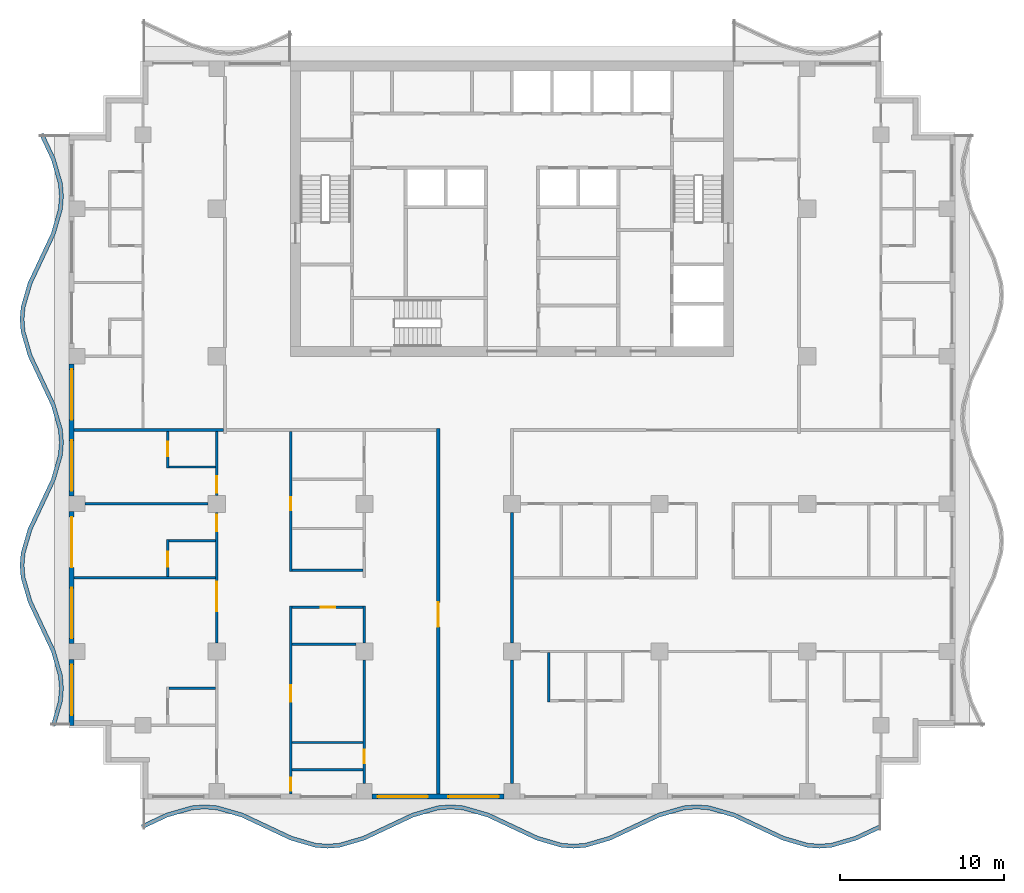
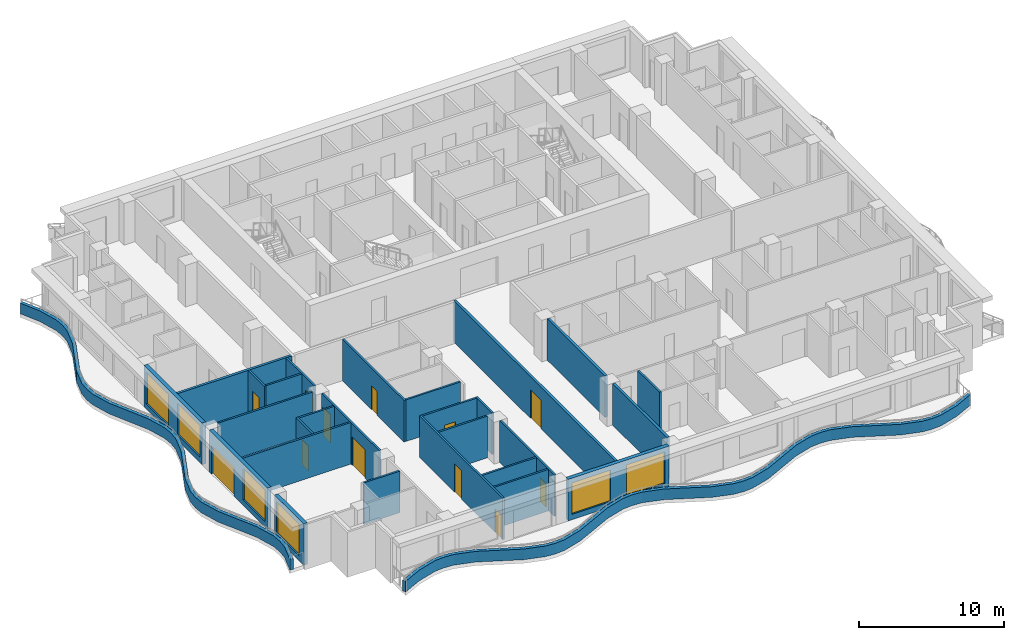
# One storey, part 2 of 11: 29 walls, 12 doors, 6 windows, 18 openings.
"""IFC4 building model written with IfcOpenShell, lengths in metres."""

from ifc_helpers import new_model, si_unit, direction, frame, frame_2d, origin, place, context, subcontext, project, spatial, polyline, rectangle, outline, extrude, material, layer, layer_set, type_object, element, fill, save


model = new_model("IFC4")

# Units and contexts
model_context = context("Model", 3, precision=1e-05, world=origin(), true_north=direction((0.0, 1.0)))
body_context = subcontext(model_context, "Body", "Model", "MODEL_VIEW")
ifc_project = project(units=[si_unit("LENGTHUNIT", "METRE"), si_unit("AREAUNIT", "SQUARE_METRE"), si_unit("VOLUMEUNIT", "CUBIC_METRE"), si_unit("PLANEANGLEUNIT", "RADIAN"), si_unit("MASSUNIT", "GRAM", prefix="KILO")], contexts=[model_context])

# Site, building, storey
site_placement = place(None, origin())
site = spatial("IfcSite", under=ifc_project, at=site_placement, CompositionType="ELEMENT")
building_placement = place(site_placement, origin())
building = spatial("IfcBuilding", under=site, at=building_placement, Name="Orbiselva Terraces", CompositionType="ELEMENT")
storey_placement = place(building_placement, frame((0.0, 0.0, 226.2)))
storey = spatial("IfcBuildingStorey", under=building, at=storey_placement, Name="L57", CompositionType="ELEMENT", Elevation=226.2)

# Walls
ifc_material_1 = material(Name="Concrete C40/50", Category="concrete")
ifc_layer_1 = layer(ifc_material_1, 0.25)
ifc_layer_set_1 = layer_set([ifc_layer_1], Name="Concrete C40/50")
wall_type_1 = type_object("IfcWallType", Name="ENV-PLANTER-250x900", PredefinedType="USERDEFINED", material=ifc_layer_set_1)
wall_1_placement = place(storey_placement, origin())
element("IfcWall", 1, at=wall_1_placement, inside=storey, type_object=wall_type_1, Name="Balcony planter L57 S", ObjectType="PLANTER", PredefinedType="USERDEFINED", context=body_context, shape_type="SweptSolid", body=[
    extrude(outline(polyline([(-22.5, -24.3), (-21.0, -23.594658), (-19.5, -23.158732), (-18.75, -23.1), (-18.0, -23.158732), (-16.5, -23.594658), (-15.0, -24.3), (-13.5, -25.005342), (-12.0, -25.441268), (-11.25, -25.5), (-10.5, -25.441268), (-9.0, -25.005342), (-7.5, -24.3), (-6.0, -23.594658), (-4.5, -23.158732), (-3.75, -23.1), (-3.0, -23.158732), (-1.5, -23.594658), (0.0, -24.3), (1.5, -25.005342), (3.0, -25.441268), (3.75, -25.5), (4.5, -25.441268), (6.0, -25.005342), (7.5, -24.3), (9.0, -23.594658), (10.5, -23.158732), (11.25, -23.1), (12.0, -23.158732), (13.5, -23.594658), (15.0, -24.3), (16.5, -25.005342), (18.0, -25.441268), (18.75, -25.5), (19.5, -25.441268), (21.0, -25.005342), (22.5, -24.3), (22.393617, -24.073764), (20.911382, -24.770753), (19.454886, -25.194035), (18.75, -25.249235), (18.045114, -25.194035), (16.588618, -24.770753), (15.106383, -24.073764), (13.588618, -23.360069), (12.045114, -22.911499), (11.25, -22.849235), (10.454886, -22.911499), (8.911382, -23.360069), (7.393617, -24.073764), (5.911382, -24.770753), (4.454886, -25.194035), (3.75, -25.249235), (3.045114, -25.194035), (1.588618, -24.770753), (0.106383, -24.073764), (-1.411382, -23.360069), (-2.954886, -22.911499), (-3.75, -22.849235), (-4.545114, -22.911499), (-6.088618, -23.360069), (-7.606383, -24.073764), (-9.088618, -24.770753), (-10.545114, -25.194035), (-11.25, -25.249235), (-11.954886, -25.194035), (-13.411382, -24.770753), (-14.893617, -24.073764), (-16.411382, -23.360069), (-17.954886, -22.911499), (-18.75, -22.849235), (-19.545114, -22.911499), (-21.088618, -23.360069), (-22.606383, -24.073764), (-22.5, -24.3)])), origin(), (0.0, 0.0, 1.0), 0.9),
])
wall_2_placement = place(storey_placement, origin())
element("IfcWall", 2, at=wall_2_placement, inside=storey, type_object=wall_type_1, Name="Balcony planter L57 W", ObjectType="PLANTER", PredefinedType="USERDEFINED", context=body_context, shape_type="SweptSolid", body=[
    extrude(outline(polyline([(-28.8, 18.0), (-28.094658, 16.5), (-27.658732, 15.0), (-27.6, 14.25), (-27.658732, 13.5), (-28.094658, 12.0), (-28.8, 10.5), (-29.505342, 9.0), (-29.941268, 7.5), (-30.0, 6.75), (-29.941268, 6.0), (-29.505342, 4.5), (-28.8, 3.0), (-28.094658, 1.5), (-27.658732, 0.0), (-27.6, -0.75), (-27.658732, -1.5), (-28.094658, -3.0), (-28.8, -4.5), (-29.505342, -6.0), (-29.941268, -7.5), (-30.0, -8.25), (-29.941268, -9.0), (-29.505342, -10.5), (-28.8, -12.0), (-28.094658, -13.5), (-27.658732, -15.0), (-27.6, -15.75), (-27.658732, -16.5), (-28.094658, -18.0), (-27.85459, -18.069768), (-27.411499, -16.545114), (-27.349235, -15.75), (-27.411499, -14.954886), (-27.860069, -13.411382), (-28.573764, -11.893617), (-29.270753, -10.411382), (-29.694035, -8.954886), (-29.749235, -8.25), (-29.694035, -7.545114), (-29.270753, -6.088618), (-28.573764, -4.606383), (-27.860069, -3.088618), (-27.411499, -1.545114), (-27.349235, -0.75), (-27.411499, 0.045114), (-27.860069, 1.588618), (-28.573764, 3.106383), (-29.270753, 4.588618), (-29.694035, 6.045114), (-29.749235, 6.75), (-29.694035, 7.454886), (-29.270753, 8.911382), (-28.573764, 10.393617), (-27.860069, 11.911382), (-27.411499, 13.454886), (-27.349235, 14.25), (-27.411499, 15.045114), (-27.860069, 16.588618), (-28.573764, 18.106383), (-28.8, 18.0)])), origin(), (0.0, 0.0, 1.0), 0.9),
])

# Wall, openings, windows
ifc_material_2 = material(Name="Terracotta cladding on masonry backing", Category="masonry")
ifc_layer_2 = layer(ifc_material_2, 0.3)
ifc_layer_set_2 = layer_set([ifc_layer_2], Name="Terracotta cladding on masonry backing")
wall_type_2 = type_object("IfcWallType", Name="ENV-WALL-TERRACOTTA-300", PredefinedType="SOLIDWALL", material=ifc_layer_set_2)
wall_3_placement = place(storey_placement, frame((-0.475, -22.35, 0.0), z_axis=(0.0, 0.0, 1.0), x_axis=(-1.0, 0.0, 0.0)))
wall_3 = element("IfcWall", 3, at=wall_3_placement, inside=storey, type_object=wall_type_2, Name="Facade wall L57 S", PredefinedType="SOLIDWALL", context=body_context, shape_type="SweptSolid", body=[
    extrude(rectangle(XDim=8.05, YDim=0.3, at=frame_2d((4.025, 0.0))), origin(), (0.0, 0.0, 1.0), 3.5),
])
opening_1_placement = place(wall_3_placement, frame((4.65, 0.0, 0.45)))
opening_1 = element("IfcOpeningElement", 4, at=opening_1_placement, cuts=wall_3, Name="Opening WN15", PredefinedType="OPENING", context=body_context, shape_type="SweptSolid", body=[
    extrude(rectangle(XDim=3.075, YDim=2.65, at=frame_2d((1.5375, 1.325))), frame((0.0, 0.16, 0.0), z_axis=(0.0, -1.0, 0.0), x_axis=(1.0, 0.0, 0.0)), (0.0, 0.0, 1.0), 0.32),
])
opening_2_placement = place(wall_3_placement, frame((0.325, 0.0, 0.45)))
opening_2 = element("IfcOpeningElement", 5, at=opening_2_placement, cuts=wall_3, Name="Opening WN15", PredefinedType="OPENING", context=body_context, shape_type="SweptSolid", body=[
    extrude(rectangle(XDim=3.075, YDim=2.65, at=frame_2d((1.5375, 1.325))), frame((0.0, 0.16, 0.0), z_axis=(0.0, -1.0, 0.0), x_axis=(1.0, 0.0, 0.0)), (0.0, 0.0, 1.0), 0.32),
])
ifc_material_3 = material(Name="Clear low-e glazing in aluminium frame", Category="aluminium")
window_type = type_object("IfcWindowType", Name="WINDOW 3075 X 2650 S450", PartitioningType="TRIPLE_PANEL_VERTICAL", PredefinedType="WINDOW", material=ifc_material_3)
window_1_placement = place(opening_1_placement, origin())
window_1 = element("IfcWindow", 6, at=window_1_placement, inside=storey, type_object=window_type, Name="Window L57 S", OverallHeight=2.65, OverallWidth=3.075, PartitioningType="SINGLE_PANEL", PredefinedType="WINDOW", context=body_context, shape_type="SweptSolid", body=[
    extrude(rectangle(XDim=3.075, YDim=2.65, at=frame_2d((1.5375, 1.325))), frame((0.0, 0.03, 0.0), z_axis=(0.0, -1.0, 0.0), x_axis=(1.0, 0.0, 0.0)), (0.0, 0.0, 1.0), 0.06),
])
fill(opening_1, window_1)
window_2_placement = place(opening_2_placement, origin())
window_2 = element("IfcWindow", 7, at=window_2_placement, inside=storey, type_object=window_type, Name="Window L57 S", OverallHeight=2.65, OverallWidth=3.075, PartitioningType="SINGLE_PANEL", PredefinedType="WINDOW", context=body_context, shape_type="SweptSolid", body=[
    extrude(rectangle(XDim=3.075, YDim=2.65, at=frame_2d((1.5375, 1.325))), frame((0.0, 0.03, 0.0), z_axis=(0.0, -1.0, 0.0), x_axis=(1.0, 0.0, 0.0)), (0.0, 0.0, 1.0), 0.06),
])
fill(opening_2, window_2)

wall_4_placement = place(storey_placement, frame((-26.85, -4.025, 0.0), z_axis=(0.0, 0.0, 1.0), x_axis=(0.0, 1.0, 0.0)))
wall_4 = element("IfcWall", 8, at=wall_4_placement, inside=storey, type_object=wall_type_2, Name="Facade wall L57 W", PredefinedType="SOLIDWALL", context=body_context, shape_type="SweptSolid", body=[
    extrude(rectangle(XDim=8.05, YDim=0.3, at=frame_2d((4.025, 0.0))), origin(), (0.0, 0.0, 1.0), 3.5),
])
opening_3_placement = place(wall_4_placement, frame((4.65, 0.0, 0.45)))
opening_3 = element("IfcOpeningElement", 9, at=opening_3_placement, cuts=wall_4, Name="Opening WN15", PredefinedType="OPENING", context=body_context, shape_type="SweptSolid", body=[
    extrude(rectangle(XDim=3.075, YDim=2.65, at=frame_2d((1.5375, 1.325))), frame((0.0, 0.16, 0.0), z_axis=(0.0, -1.0, 0.0), x_axis=(1.0, 0.0, 0.0)), (0.0, 0.0, 1.0), 0.32),
])
opening_4_placement = place(wall_4_placement, frame((0.325, 0.0, 0.45)))
opening_4 = element("IfcOpeningElement", 10, at=opening_4_placement, cuts=wall_4, Name="Opening WN15", PredefinedType="OPENING", context=body_context, shape_type="SweptSolid", body=[
    extrude(rectangle(XDim=3.075, YDim=2.65, at=frame_2d((1.5375, 1.325))), frame((0.0, 0.16, 0.0), z_axis=(0.0, -1.0, 0.0), x_axis=(1.0, 0.0, 0.0)), (0.0, 0.0, 1.0), 0.32),
])
window_3_placement = place(opening_3_placement, origin())
window_3 = element("IfcWindow", 11, at=window_3_placement, inside=storey, type_object=window_type, Name="Window L57 W", OverallHeight=2.65, OverallWidth=3.075, PartitioningType="SINGLE_PANEL", PredefinedType="WINDOW", context=body_context, shape_type="SweptSolid", body=[
    extrude(rectangle(XDim=3.075, YDim=2.65, at=frame_2d((1.5375, 1.325))), frame((0.0, 0.03, 0.0), z_axis=(0.0, -1.0, 0.0), x_axis=(1.0, 0.0, 0.0)), (0.0, 0.0, 1.0), 0.06),
])
fill(opening_3, window_3)
window_4_placement = place(opening_4_placement, origin())
window_4 = element("IfcWindow", 12, at=window_4_placement, inside=storey, type_object=window_type, Name="Window L57 W", OverallHeight=2.65, OverallWidth=3.075, PartitioningType="SINGLE_PANEL", PredefinedType="WINDOW", context=body_context, shape_type="SweptSolid", body=[
    extrude(rectangle(XDim=3.075, YDim=2.65, at=frame_2d((1.5375, 1.325))), frame((0.0, 0.03, 0.0), z_axis=(0.0, -1.0, 0.0), x_axis=(1.0, 0.0, 0.0)), (0.0, 0.0, 1.0), 0.06),
])
fill(opening_4, window_4)

# Wall, openings, door, window
wall_5_placement = place(storey_placement, frame((-26.85, -13.025, 0.0), z_axis=(0.0, 0.0, 1.0), x_axis=(0.0, 1.0, 0.0)))
wall_5 = element("IfcWall", 13, at=wall_5_placement, inside=storey, type_object=wall_type_2, Name="Facade wall L57 W", PredefinedType="SOLIDWALL", context=body_context, shape_type="SweptSolid", body=[
    extrude(rectangle(XDim=8.05, YDim=0.3, at=frame_2d((4.025, 0.0))), origin(), (0.0, 0.0, 1.0), 3.5),
])
opening_5_placement = place(wall_5_placement, frame((4.65, 0.0, 0.0)))
opening_5 = element("IfcOpeningElement", 14, at=opening_5_placement, cuts=wall_5, Name="Opening Z4-E-E09", PredefinedType="OPENING", context=body_context, shape_type="SweptSolid", body=[
    extrude(rectangle(XDim=3.075, YDim=2.4, at=frame_2d((1.5375, 1.2))), frame((0.0, 0.16, 0.0), z_axis=(0.0, -1.0, 0.0), x_axis=(1.0, 0.0, 0.0)), (0.0, 0.0, 1.0), 0.32),
])
opening_6_placement = place(wall_5_placement, frame((0.325, 0.0, 0.45)))
opening_6 = element("IfcOpeningElement", 15, at=opening_6_placement, cuts=wall_5, Name="Opening WN15", PredefinedType="OPENING", context=body_context, shape_type="SweptSolid", body=[
    extrude(rectangle(XDim=3.075, YDim=2.65, at=frame_2d((1.5375, 1.325))), frame((0.0, 0.16, 0.0), z_axis=(0.0, -1.0, 0.0), x_axis=(1.0, 0.0, 0.0)), (0.0, 0.0, 1.0), 0.32),
])
door_type_1 = type_object("IfcDoorType", Name="BALCONY DOOR 3075 X 2400", OperationType="DOUBLE_DOOR_SLIDING", PredefinedType="DOOR", material=ifc_material_3)
door_1_placement = place(opening_5_placement, origin())
door_1 = element("IfcDoor", 16, at=door_1_placement, inside=storey, type_object=door_type_1, Name="Z4-E-E09", OperationType="SINGLE_SWING_LEFT", OverallHeight=2.4, OverallWidth=3.075, PredefinedType="DOOR", context=body_context, shape_type="SweptSolid", body=[
    extrude(rectangle(XDim=3.075, YDim=2.4, at=frame_2d((1.5375, 1.2))), frame((0.0, 0.025, 0.0), z_axis=(0.0, -1.0, 0.0), x_axis=(1.0, 0.0, 0.0)), (0.0, 0.0, 1.0), 0.05),
])
fill(opening_5, door_1)
window_5_placement = place(opening_6_placement, origin())
window_5 = element("IfcWindow", 17, at=window_5_placement, inside=storey, type_object=window_type, Name="Window L57 W", OverallHeight=2.65, OverallWidth=3.075, PartitioningType="SINGLE_PANEL", PredefinedType="WINDOW", context=body_context, shape_type="SweptSolid", body=[
    extrude(rectangle(XDim=3.075, YDim=2.65, at=frame_2d((1.5375, 1.325))), frame((0.0, 0.03, 0.0), z_axis=(0.0, -1.0, 0.0), x_axis=(1.0, 0.0, 0.0)), (0.0, 0.0, 1.0), 0.06),
])
fill(opening_6, window_5)

# Wall, opening, window
wall_6_placement = place(storey_placement, frame((-26.85, -18.0, 0.0), z_axis=(0.0, 0.0, 1.0), x_axis=(0.0, 1.0, 0.0)))
wall_6 = element("IfcWall", 18, at=wall_6_placement, inside=storey, type_object=wall_type_2, Name="Facade wall L57 W", PredefinedType="SOLIDWALL", context=body_context, shape_type="SweptSolid", body=[
    extrude(rectangle(XDim=4.025, YDim=0.3, at=frame_2d((2.0125, 0.0))), origin(), (0.0, 0.0, 1.0), 3.5),
])
opening_7_placement = place(wall_6_placement, frame((0.625, 0.0, 0.45)))
opening_7 = element("IfcOpeningElement", 19, at=opening_7_placement, cuts=wall_6, Name="Opening WN15", PredefinedType="OPENING", context=body_context, shape_type="SweptSolid", body=[
    extrude(rectangle(XDim=3.075, YDim=2.65, at=frame_2d((1.5375, 1.325))), frame((0.0, 0.16, 0.0), z_axis=(0.0, -1.0, 0.0), x_axis=(1.0, 0.0, 0.0)), (0.0, 0.0, 1.0), 0.32),
])
window_6_placement = place(opening_7_placement, origin())
window_6 = element("IfcWindow", 20, at=window_6_placement, inside=storey, type_object=window_type, Name="Window L57 W", OverallHeight=2.65, OverallWidth=3.075, PartitioningType="SINGLE_PANEL", PredefinedType="WINDOW", context=body_context, shape_type="SweptSolid", body=[
    extrude(rectangle(XDim=3.075, YDim=2.65, at=frame_2d((1.5375, 1.325))), frame((0.0, 0.03, 0.0), z_axis=(0.0, -1.0, 0.0), x_axis=(1.0, 0.0, 0.0)), (0.0, 0.0, 1.0), 0.06),
])
fill(opening_7, window_6)

# Wall, opening, door
ifc_material_4 = material(Name="Plasterboard on steel stud partition", Category="steel")
ifc_layer_3 = layer(ifc_material_4, 0.2)
ifc_layer_set_3 = layer_set([ifc_layer_3], Name="Plasterboard on steel stud partition")
wall_type_3 = type_object("IfcWallType", Name="UNIT-ENTRANCE-WALL-200", PredefinedType="PARTITIONING", material=ifc_layer_set_3)
wall_7_placement = place(storey_placement, frame((-4.5, -22.2, 0.0), z_axis=(0.0, 0.0, 1.0), x_axis=(0.0, 1.0, 0.0)))
wall_7 = element("IfcWall", 21, at=wall_7_placement, inside=storey, type_object=wall_type_3, Name="PARTITION L57-066", PredefinedType="PARTITIONING", context=body_context, shape_type="SweptSolid", body=[
    extrude(rectangle(XDim=22.3, YDim=0.2, at=frame_2d((11.15, 0.0))), origin(), (0.0, 0.0, 1.0), 3.5),
])
opening_8_placement = place(wall_7_placement, frame((10.2, 0.0, 0.0)))
opening_8 = element("IfcOpeningElement", 22, at=opening_8_placement, cuts=wall_7, Name="Opening Z4-E-18", PredefinedType="OPENING", context=body_context, shape_type="SweptSolid", body=[
    extrude(rectangle(XDim=1.5, YDim=2.4, at=frame_2d((0.75, 1.2))), frame((0.0, 0.11, 0.0), z_axis=(0.0, -1.0, 0.0), x_axis=(1.0, 0.0, 0.0)), (0.0, 0.0, 1.0), 0.22),
])
ifc_material_5 = material(Name="Painted timber door leaf", Category="wood")
door_type_2 = type_object("IfcDoorType", Name="ENTRANCE DOUBLE DOOR 1500", OperationType="NOTDEFINED", PredefinedType="DOOR", material=ifc_material_5)
door_2_placement = place(opening_8_placement, origin())
door_2 = element("IfcDoor", 23, at=door_2_placement, inside=storey, type_object=door_type_2, Name="Z4-E-18", OperationType="DOUBLE_DOOR_SINGLE_SWING", OverallHeight=2.4, OverallWidth=1.5, PredefinedType="DOOR", context=body_context, shape_type="SweptSolid", body=[
    extrude(rectangle(XDim=1.5, YDim=2.4, at=frame_2d((0.75, 1.2))), frame((0.0, 0.025, 0.0), z_axis=(0.0, -1.0, 0.0), x_axis=(1.0, 0.0, 0.0)), (0.0, 0.0, 1.0), 0.05),
])
fill(opening_8, door_2)

# Walls
wall_8_placement = place(storey_placement, frame((0.0, -21.55, 0.0), z_axis=(0.0, 0.0, 1.0), x_axis=(0.0, 1.0, 0.0)))
element("IfcWall", 24, at=wall_8_placement, inside=storey, type_object=wall_type_3, Name="PARTITION L57-067", PredefinedType="PARTITIONING", context=body_context, shape_type="SweptSolid", body=[
    extrude(rectangle(XDim=7.525, YDim=0.2, at=frame_2d((3.7625, 0.0))), origin(), (0.0, 0.0, 1.0), 3.5),
])
wall_9_placement = place(storey_placement, frame((0.0, -12.975, 0.0), z_axis=(0.0, 0.0, 1.0), x_axis=(0.0, 1.0, 0.0)))
element("IfcWall", 25, at=wall_9_placement, inside=storey, type_object=wall_type_3, Name="PARTITION L57-068", PredefinedType="PARTITIONING", context=body_context, shape_type="SweptSolid", body=[
    extrude(rectangle(XDim=7.95, YDim=0.2, at=frame_2d((3.975, 0.0))), origin(), (0.0, 0.0, 1.0), 3.5),
])
ifc_layer_4 = layer(ifc_material_4, 0.15)
ifc_layer_set_4 = layer_set([ifc_layer_4], Name="Plasterboard on steel stud partition")
wall_type_4 = type_object("IfcWallType", Name="UNIT-PARTITION-150", PredefinedType="PARTITIONING", material=ifc_layer_set_4)
for number, where, z_axis, x_axis, name in (
    (26, (-13.425, -20.7, 0.0), (0.0, 0.0, 1.0), (1.0, 0.0, 0.0), "PARTITION L57-001"),
    (27, (-13.425, -19.05, 0.0), (0.0, 0.0, 1.0), (1.0, 0.0, 0.0), "PARTITION L57-002"),
):
    element("IfcWall", number, at=place(storey_placement, frame(where, z_axis=z_axis, x_axis=x_axis)), inside=storey, type_object=wall_type_4, Name=name, PredefinedType="PARTITIONING", context=body_context, shape_type="SweptSolid", body=[
        extrude(rectangle(XDim=4.35, YDim=0.15, at=frame_2d((2.175, 0.0))), origin(), (0.0, 0.0, 1.0), 3.5),
    ])
wall_10_placement = place(storey_placement, frame((-20.925, -15.75, 0.0), z_axis=(0.0, 0.0, 1.0), x_axis=(1.0, 0.0, 0.0)))
element("IfcWall", 28, at=wall_10_placement, inside=storey, type_object=wall_type_4, Name="PARTITION L57-009", PredefinedType="PARTITIONING", context=body_context, shape_type="SweptSolid", body=[
    extrude(rectangle(XDim=2.85, YDim=0.15, at=frame_2d((1.425, 0.0))), origin(), (0.0, 0.0, 1.0), 3.5),
])
wall_11_placement = place(storey_placement, frame((-13.425, -13.05, 0.0), z_axis=(0.0, 0.0, 1.0), x_axis=(1.0, 0.0, 0.0)))
element("IfcWall", 29, at=wall_11_placement, inside=storey, type_object=wall_type_4, Name="PARTITION L57-013", PredefinedType="PARTITIONING", context=body_context, shape_type="SweptSolid", body=[
    extrude(rectangle(XDim=3.9, YDim=0.15, at=frame_2d((1.95, 0.0))), origin(), (0.0, 0.0, 1.0), 3.5),
])

# Wall, opening, door
wall_12_placement = place(storey_placement, frame((-9.075, -10.8, 0.0), z_axis=(0.0, 0.0, 1.0), x_axis=(-1.0, 0.0, 0.0)))
wall_12 = element("IfcWall", 30, at=wall_12_placement, inside=storey, type_object=wall_type_4, Name="PARTITION L57-014", PredefinedType="PARTITIONING", context=body_context, shape_type="SweptSolid", body=[
    extrude(rectangle(XDim=4.35, YDim=0.15, at=frame_2d((2.175, 0.0))), origin(), (0.0, 0.0, 1.0), 3.5),
])
opening_9_placement = place(wall_12_placement, frame((1.7, 0.0, 0.0)))
opening_9 = element("IfcOpeningElement", 31, at=opening_9_placement, cuts=wall_12, Name="Opening Z4-E-22", PredefinedType="OPENING", context=body_context, shape_type="SweptSolid", body=[
    extrude(rectangle(XDim=0.9, YDim=2.1, at=frame_2d((0.45, 1.05))), frame((0.0, 0.085, 0.0), z_axis=(0.0, -1.0, 0.0), x_axis=(1.0, 0.0, 0.0)), (0.0, 0.0, 1.0), 0.17),
])
door_type_3 = type_object("IfcDoorType", Name="BATH DOOR 900", OperationType="NOTDEFINED", PredefinedType="DOOR", material=ifc_material_5)
door_3_placement = place(opening_9_placement, origin())
door_3 = element("IfcDoor", 32, at=door_3_placement, inside=storey, type_object=door_type_3, Name="Z4-E-22", OperationType="SINGLE_SWING_LEFT", OverallHeight=2.1, OverallWidth=0.9, PredefinedType="DOOR", context=body_context, shape_type="SweptSolid", body=[
    extrude(rectangle(XDim=0.9, YDim=2.1, at=frame_2d((0.45, 1.05))), frame((0.0, 0.025, 0.0), z_axis=(0.0, -1.0, 0.0), x_axis=(1.0, 0.0, 0.0)), (0.0, 0.0, 1.0), 0.05),
])
fill(opening_9, door_3)

# Walls
wall_13_placement = place(storey_placement, frame((-26.7, -9.0, 0.0), z_axis=(0.0, 0.0, 1.0), x_axis=(1.0, 0.0, 0.0)))
element("IfcWall", 33, at=wall_13_placement, inside=storey, type_object=wall_type_4, Name="PARTITION L57-015", PredefinedType="PARTITIONING", context=body_context, shape_type="SweptSolid", body=[
    extrude(rectangle(XDim=8.625, YDim=0.15, at=frame_2d((4.3125, 0.0))), origin(), (0.0, 0.0, 1.0), 3.5),
])
wall_14_placement = place(storey_placement, frame((-13.425, -8.55, 0.0), z_axis=(0.0, 0.0, 1.0), x_axis=(1.0, 0.0, 0.0)))
element("IfcWall", 34, at=wall_14_placement, inside=storey, type_object=wall_type_4, Name="PARTITION L57-018", PredefinedType="PARTITIONING", context=body_context, shape_type="SweptSolid", body=[
    extrude(rectangle(XDim=4.35, YDim=0.15, at=frame_2d((2.175, 0.0))), origin(), (0.0, 0.0, 1.0), 3.5),
])
wall_15_placement = place(storey_placement, frame((-20.925, -6.75, 0.0), z_axis=(0.0, 0.0, 1.0), x_axis=(1.0, 0.0, 0.0)))
element("IfcWall", 35, at=wall_15_placement, inside=storey, type_object=wall_type_4, Name="PARTITION L57-019", PredefinedType="PARTITIONING", context=body_context, shape_type="SweptSolid", body=[
    extrude(rectangle(XDim=2.85, YDim=0.15, at=frame_2d((1.425, 0.0))), origin(), (0.0, 0.0, 1.0), 3.5),
])
wall_16_placement = place(storey_placement, frame((-26.05, -4.5, 0.0), z_axis=(0.0, 0.0, 1.0), x_axis=(1.0, 0.0, 0.0)))
element("IfcWall", 36, at=wall_16_placement, inside=storey, type_object=wall_type_4, Name="PARTITION L57-021", PredefinedType="PARTITIONING", context=body_context, shape_type="SweptSolid", body=[
    extrude(rectangle(XDim=7.525, YDim=0.15, at=frame_2d((3.7625, 0.0))), origin(), (0.0, 0.0, 1.0), 3.5),
])
wall_17_placement = place(storey_placement, frame((-20.925, -2.25, 0.0), z_axis=(0.0, 0.0, 1.0), x_axis=(1.0, 0.0, 0.0)))
element("IfcWall", 37, at=wall_17_placement, inside=storey, type_object=wall_type_4, Name="PARTITION L57-027", PredefinedType="PARTITIONING", context=body_context, shape_type="SweptSolid", body=[
    extrude(rectangle(XDim=2.85, YDim=0.15, at=frame_2d((1.425, 0.0))), origin(), (0.0, 0.0, 1.0), 3.5),
])

# Wall, opening, door
wall_18_placement = place(storey_placement, frame((-21.0, -6.675, 0.0), z_axis=(0.0, 0.0, 1.0), x_axis=(0.0, -1.0, 0.0)))
wall_18 = element("IfcWall", 38, at=wall_18_placement, inside=storey, type_object=wall_type_4, Name="PARTITION L57-052", PredefinedType="PARTITIONING", context=body_context, shape_type="SweptSolid", body=[
    extrude(rectangle(XDim=2.25, YDim=0.15, at=frame_2d((1.125, 0.0))), origin(), (0.0, 0.0, 1.0), 3.5),
])
opening_10_placement = place(wall_18_placement, frame((0.75, 0.0, 0.0)))
opening_10 = element("IfcOpeningElement", 39, at=opening_10_placement, cuts=wall_18, Name="Opening Z4-E-30", PredefinedType="OPENING", context=body_context, shape_type="SweptSolid", body=[
    extrude(rectangle(XDim=0.9, YDim=2.1, at=frame_2d((0.45, 1.05))), frame((0.0, 0.085, 0.0), z_axis=(0.0, -1.0, 0.0), x_axis=(1.0, 0.0, 0.0)), (0.0, 0.0, 1.0), 0.17),
])
door_4_placement = place(opening_10_placement, origin())
door_4 = element("IfcDoor", 40, at=door_4_placement, inside=storey, type_object=door_type_3, Name="Z4-E-30", OperationType="SINGLE_SWING_RIGHT", OverallHeight=2.1, OverallWidth=0.9, PredefinedType="DOOR", context=body_context, shape_type="SweptSolid", body=[
    extrude(rectangle(XDim=0.9, YDim=2.1, at=frame_2d((0.45, 1.05))), frame((0.0, 0.025, 0.0), z_axis=(0.0, -1.0, 0.0), x_axis=(1.0, 0.0, 0.0)), (0.0, 0.0, 1.0), 0.05),
])
fill(opening_10, door_4)

wall_19_placement = place(storey_placement, frame((-21.0, -0.1, 0.0), z_axis=(0.0, 0.0, 1.0), x_axis=(0.0, -1.0, 0.0)))
wall_19 = element("IfcWall", 41, at=wall_19_placement, inside=storey, type_object=wall_type_4, Name="PARTITION L57-053", PredefinedType="PARTITIONING", context=body_context, shape_type="SweptSolid", body=[
    extrude(rectangle(XDim=2.225, YDim=0.15, at=frame_2d((1.1125, 0.0))), origin(), (0.0, 0.0, 1.0), 3.5),
])
opening_11_placement = place(wall_19_placement, frame((0.6, 0.0, 0.0)))
opening_11 = element("IfcOpeningElement", 42, at=opening_11_placement, cuts=wall_19, Name="Opening Z4-E-32", PredefinedType="OPENING", context=body_context, shape_type="SweptSolid", body=[
    extrude(rectangle(XDim=0.9, YDim=2.1, at=frame_2d((0.45, 1.05))), frame((0.0, 0.085, 0.0), z_axis=(0.0, -1.0, 0.0), x_axis=(1.0, 0.0, 0.0)), (0.0, 0.0, 1.0), 0.17),
])
door_5_placement = place(opening_11_placement, origin())
door_5 = element("IfcDoor", 43, at=door_5_placement, inside=storey, type_object=door_type_3, Name="Z4-E-32", OperationType="SINGLE_SWING_LEFT", OverallHeight=2.1, OverallWidth=0.9, PredefinedType="DOOR", context=body_context, shape_type="SweptSolid", body=[
    extrude(rectangle(XDim=0.9, YDim=2.1, at=frame_2d((0.45, 1.05))), frame((0.0, 0.025, 0.0), z_axis=(0.0, -1.0, 0.0), x_axis=(1.0, 0.0, 0.0)), (0.0, 0.0, 1.0), 0.05),
])
fill(opening_11, door_5)

# Wall, openings, doors
wall_20_placement = place(storey_placement, frame((-18.0, -12.975, 0.0), z_axis=(0.0, 0.0, 1.0), x_axis=(0.0, 1.0, 0.0)))
wall_20 = element("IfcWall", 44, at=wall_20_placement, inside=storey, type_object=wall_type_4, Name="PARTITION L57-055", PredefinedType="PARTITIONING", context=body_context, shape_type="SweptSolid", body=[
    extrude(rectangle(XDim=7.95, YDim=0.15, at=frame_2d((3.975, 0.0))), origin(), (0.0, 0.0, 1.0), 3.5),
])
opening_12_placement = place(wall_20_placement, frame((1.925, 0.0, 0.0)))
opening_12 = element("IfcOpeningElement", 45, at=opening_12_placement, cuts=wall_20, Name="Opening Z4-E-27", PredefinedType="OPENING", context=body_context, shape_type="SweptSolid", body=[
    extrude(rectangle(XDim=1.8, YDim=2.4, at=frame_2d((0.9, 1.2))), frame((0.0, 0.085, 0.0), z_axis=(0.0, -1.0, 0.0), x_axis=(1.0, 0.0, 0.0)), (0.0, 0.0, 1.0), 0.17),
])
opening_13_placement = place(wall_20_placement, frame((6.8, 0.0, 0.0)))
opening_13 = element("IfcOpeningElement", 46, at=opening_13_placement, cuts=wall_20, Name="Opening Z4-E-29", PredefinedType="OPENING", context=body_context, shape_type="SweptSolid", body=[
    extrude(rectangle(XDim=1.0, YDim=2.4, at=frame_2d((0.5, 1.2))), frame((0.0, 0.085, 0.0), z_axis=(0.0, -1.0, 0.0), x_axis=(1.0, 0.0, 0.0)), (0.0, 0.0, 1.0), 0.17),
])
door_type_4 = type_object("IfcDoorType", Name="DOUBLE DOOR 1800", OperationType="NOTDEFINED", PredefinedType="DOOR", material=ifc_material_5)
door_6_placement = place(opening_12_placement, origin())
door_6 = element("IfcDoor", 47, at=door_6_placement, inside=storey, type_object=door_type_4, Name="Z4-E-27", OperationType="DOUBLE_DOOR_SINGLE_SWING", OverallHeight=2.4, OverallWidth=1.8, PredefinedType="DOOR", context=body_context, shape_type="SweptSolid", body=[
    extrude(rectangle(XDim=1.8, YDim=2.4, at=frame_2d((0.9, 1.2))), frame((0.0, 0.025, 0.0), z_axis=(0.0, -1.0, 0.0), x_axis=(1.0, 0.0, 0.0)), (0.0, 0.0, 1.0), 0.05),
])
fill(opening_12, door_6)
door_type_5 = type_object("IfcDoorType", Name="ROOM DOOR 1000", OperationType="NOTDEFINED", PredefinedType="DOOR", material=ifc_material_5)
door_7_placement = place(opening_13_placement, origin())
door_7 = element("IfcDoor", 48, at=door_7_placement, inside=storey, type_object=door_type_5, Name="Z4-E-29", OperationType="SINGLE_SWING_RIGHT", OverallHeight=2.4, OverallWidth=1.0, PredefinedType="DOOR", context=body_context, shape_type="SweptSolid", body=[
    extrude(rectangle(XDim=1.0, YDim=2.4, at=frame_2d((0.5, 1.2))), frame((0.0, 0.025, 0.0), z_axis=(0.0, -1.0, 0.0), x_axis=(1.0, 0.0, 0.0)), (0.0, 0.0, 1.0), 0.05),
])
fill(opening_13, door_7)

# Wall, opening, door
wall_21_placement = place(storey_placement, frame((-18.0, -3.975, 0.0), z_axis=(0.0, 0.0, 1.0), x_axis=(0.0, 1.0, 0.0)))
wall_21 = element("IfcWall", 49, at=wall_21_placement, inside=storey, type_object=wall_type_4, Name="PARTITION L57-056", PredefinedType="PARTITIONING", context=body_context, shape_type="SweptSolid", body=[
    extrude(rectangle(XDim=3.875, YDim=0.15, at=frame_2d((1.9375, 0.0))), origin(), (0.0, 0.0, 1.0), 3.5),
])
opening_14_placement = place(wall_21_placement, frame((0.15, 0.0, 0.0)))
opening_14 = element("IfcOpeningElement", 50, at=opening_14_placement, cuts=wall_21, Name="Opening Z4-E-31", PredefinedType="OPENING", context=body_context, shape_type="SweptSolid", body=[
    extrude(rectangle(XDim=1.0, YDim=2.4, at=frame_2d((0.5, 1.2))), frame((0.0, 0.085, 0.0), z_axis=(0.0, -1.0, 0.0), x_axis=(1.0, 0.0, 0.0)), (0.0, 0.0, 1.0), 0.17),
])
door_8_placement = place(opening_14_placement, origin())
door_8 = element("IfcDoor", 51, at=door_8_placement, inside=storey, type_object=door_type_5, Name="Z4-E-31", OperationType="SINGLE_SWING_LEFT", OverallHeight=2.4, OverallWidth=1.0, PredefinedType="DOOR", context=body_context, shape_type="SweptSolid", body=[
    extrude(rectangle(XDim=1.0, YDim=2.4, at=frame_2d((0.5, 1.2))), frame((0.0, 0.025, 0.0), z_axis=(0.0, -1.0, 0.0), x_axis=(1.0, 0.0, 0.0)), (0.0, 0.0, 1.0), 0.05),
])
fill(opening_14, door_8)

# Wall, openings, doors
wall_22_placement = place(storey_placement, frame((-13.5, -10.725, 0.0), z_axis=(0.0, 0.0, 1.0), x_axis=(0.0, -1.0, 0.0)))
wall_22 = element("IfcWall", 52, at=wall_22_placement, inside=storey, type_object=wall_type_4, Name="PARTITION L57-060", PredefinedType="PARTITIONING", context=body_context, shape_type="SweptSolid", body=[
    extrude(rectangle(XDim=11.475, YDim=0.15, at=frame_2d((5.7375, 0.0))), origin(), (0.0, 0.0, 1.0), 3.5),
])
opening_15_placement = place(wall_22_placement, frame((10.475, 0.0, 0.0)))
opening_15 = element("IfcOpeningElement", 53, at=opening_15_placement, cuts=wall_22, Name="Opening Z4-E-19", PredefinedType="OPENING", context=body_context, shape_type="SweptSolid", body=[
    extrude(rectangle(XDim=0.8, YDim=2.0, at=frame_2d((0.4, 1.0))), frame((0.0, 0.085, 0.0), z_axis=(0.0, -1.0, 0.0), x_axis=(1.0, 0.0, 0.0)), (0.0, 0.0, 1.0), 0.17),
])
opening_16_placement = place(wall_22_placement, frame((4.825, 0.0, 0.0)))
opening_16 = element("IfcOpeningElement", 54, at=opening_16_placement, cuts=wall_22, Name="Opening Z4-E-21", PredefinedType="OPENING", context=body_context, shape_type="SweptSolid", body=[
    extrude(rectangle(XDim=1.0, YDim=2.4, at=frame_2d((0.5, 1.2))), frame((0.0, 0.085, 0.0), z_axis=(0.0, -1.0, 0.0), x_axis=(1.0, 0.0, 0.0)), (0.0, 0.0, 1.0), 0.17),
])
door_9_placement = place(opening_16_placement, origin())
door_9 = element("IfcDoor", 55, at=door_9_placement, inside=storey, type_object=door_type_5, Name="Z4-E-21", OperationType="SINGLE_SWING_LEFT", OverallHeight=2.4, OverallWidth=1.0, PredefinedType="DOOR", context=body_context, shape_type="SweptSolid", body=[
    extrude(rectangle(XDim=1.0, YDim=2.4, at=frame_2d((0.5, 1.2))), frame((0.0, 0.025, 0.0), z_axis=(0.0, -1.0, 0.0), x_axis=(1.0, 0.0, 0.0)), (0.0, 0.0, 1.0), 0.05),
])
fill(opening_16, door_9)
door_type_6 = type_object("IfcDoorType", Name="STORE DOOR 800", OperationType="NOTDEFINED", PredefinedType="DOOR", material=ifc_material_5)
door_10_placement = place(opening_15_placement, origin())
door_10 = element("IfcDoor", 56, at=door_10_placement, inside=storey, type_object=door_type_6, Name="Z4-E-19", OperationType="SINGLE_SWING_RIGHT", OverallHeight=2.0, OverallWidth=0.8, PredefinedType="DOOR", context=body_context, shape_type="SweptSolid", body=[
    extrude(rectangle(XDim=0.8, YDim=2.0, at=frame_2d((0.4, 1.0))), frame((0.0, 0.025, 0.0), z_axis=(0.0, -1.0, 0.0), x_axis=(1.0, 0.0, 0.0)), (0.0, 0.0, 1.0), 0.05),
])
fill(opening_15, door_10)

# Wall, opening, door
wall_23_placement = place(storey_placement, frame((-13.5, -0.1, 0.0), z_axis=(0.0, 0.0, 1.0), x_axis=(0.0, -1.0, 0.0)))
wall_23 = element("IfcWall", 57, at=wall_23_placement, inside=storey, type_object=wall_type_4, Name="PARTITION L57-061", PredefinedType="PARTITIONING", context=body_context, shape_type="SweptSolid", body=[
    extrude(rectangle(XDim=8.525, YDim=0.15, at=frame_2d((4.2625, 0.0))), origin(), (0.0, 0.0, 1.0), 3.5),
])
opening_17_placement = place(wall_23_placement, frame((4.0, 0.0, 0.0)))
opening_17 = element("IfcOpeningElement", 58, at=opening_17_placement, cuts=wall_23, Name="Opening Z4-E-24", PredefinedType="OPENING", context=body_context, shape_type="SweptSolid", body=[
    extrude(rectangle(XDim=0.8, YDim=2.0, at=frame_2d((0.4, 1.0))), frame((0.0, 0.085, 0.0), z_axis=(0.0, -1.0, 0.0), x_axis=(1.0, 0.0, 0.0)), (0.0, 0.0, 1.0), 0.17),
])
door_11_placement = place(opening_17_placement, origin())
door_11 = element("IfcDoor", 59, at=door_11_placement, inside=storey, type_object=door_type_6, Name="Z4-E-24", OperationType="SINGLE_SWING_RIGHT", OverallHeight=2.0, OverallWidth=0.8, PredefinedType="DOOR", context=body_context, shape_type="SweptSolid", body=[
    extrude(rectangle(XDim=0.8, YDim=2.0, at=frame_2d((0.4, 1.0))), frame((0.0, 0.025, 0.0), z_axis=(0.0, -1.0, 0.0), x_axis=(1.0, 0.0, 0.0)), (0.0, 0.0, 1.0), 0.05),
])
fill(opening_17, door_11)

wall_24_placement = place(storey_placement, frame((-9.0, -21.55, 0.0), z_axis=(0.0, 0.0, 1.0), x_axis=(0.0, 1.0, 0.0)))
wall_24 = element("IfcWall", 60, at=wall_24_placement, inside=storey, type_object=wall_type_4, Name="PARTITION L57-062", PredefinedType="PARTITIONING", context=body_context, shape_type="SweptSolid", body=[
    extrude(rectangle(XDim=7.525, YDim=0.15, at=frame_2d((3.7625, 0.0))), origin(), (0.0, 0.0, 1.0), 3.5),
])
opening_18_placement = place(wall_24_placement, frame((1.25, 0.0, 0.0)))
opening_18 = element("IfcOpeningElement", 61, at=opening_18_placement, cuts=wall_24, Name="Opening Z4-E-20", PredefinedType="OPENING", context=body_context, shape_type="SweptSolid", body=[
    extrude(rectangle(XDim=0.8, YDim=2.0, at=frame_2d((0.4, 1.0))), frame((0.0, 0.085, 0.0), z_axis=(0.0, -1.0, 0.0), x_axis=(1.0, 0.0, 0.0)), (0.0, 0.0, 1.0), 0.17),
])
door_12_placement = place(opening_18_placement, origin())
door_12 = element("IfcDoor", 62, at=door_12_placement, inside=storey, type_object=door_type_6, Name="Z4-E-20", OperationType="SINGLE_SWING_LEFT", OverallHeight=2.0, OverallWidth=0.8, PredefinedType="DOOR", context=body_context, shape_type="SweptSolid", body=[
    extrude(rectangle(XDim=0.8, YDim=2.0, at=frame_2d((0.4, 1.0))), frame((0.0, 0.025, 0.0), z_axis=(0.0, -1.0, 0.0), x_axis=(1.0, 0.0, 0.0)), (0.0, 0.0, 1.0), 0.05),
])
fill(opening_18, door_12)

# Walls
wall_25_placement = place(storey_placement, frame((-9.0, -12.975, 0.0), z_axis=(0.0, 0.0, 1.0), x_axis=(0.0, 1.0, 0.0)))
element("IfcWall", 63, at=wall_25_placement, inside=storey, type_object=wall_type_4, Name="PARTITION L57-063", PredefinedType="PARTITIONING", context=body_context, shape_type="SweptSolid", body=[
    extrude(rectangle(XDim=2.25, YDim=0.15, at=frame_2d((1.125, 0.0))), origin(), (0.0, 0.0, 1.0), 3.5),
])
wall_26_placement = place(storey_placement, frame((2.25, -16.575, 0.0), z_axis=(0.0, 0.0, 1.0), x_axis=(0.0, 1.0, 0.0)))
element("IfcWall", 64, at=wall_26_placement, inside=storey, type_object=wall_type_4, Name="PARTITION L57-070", PredefinedType="PARTITIONING", context=body_context, shape_type="SweptSolid", body=[
    extrude(rectangle(XDim=3.0, YDim=0.15, at=frame_2d((1.5, 0.0))), origin(), (0.0, 0.0, 1.0), 3.5),
])
ifc_layer_5 = layer(ifc_material_4, 0.2)
ifc_layer_set_5 = layer_set([ifc_layer_5], Name="Plasterboard on steel stud partition")
wall_type_5 = type_object("IfcWallType", Name="UNIT-PARTY-WALL-200", PredefinedType="PARTITIONING", material=ifc_layer_set_5)
wall_27_placement = place(storey_placement, frame((-26.7, 0.0, 0.0), z_axis=(0.0, 0.0, 1.0), x_axis=(1.0, 0.0, 0.0)))
element("IfcWall", 65, at=wall_27_placement, inside=storey, type_object=wall_type_5, Name="PARTITION L57-030", PredefinedType="PARTITIONING", context=body_context, shape_type="SweptSolid", body=[
    extrude(rectangle(XDim=9.1, YDim=0.2, at=frame_2d((4.55, 0.0))), origin(), (0.0, 0.0, 1.0), 3.5),
])

save(model, "model.ifc")
